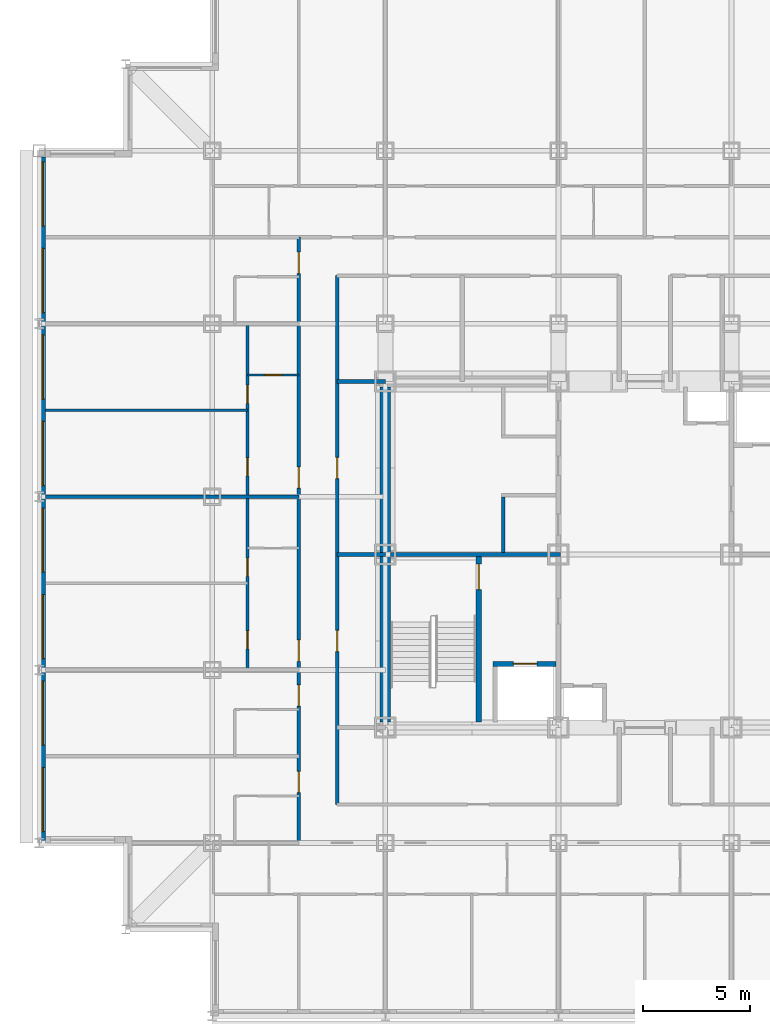
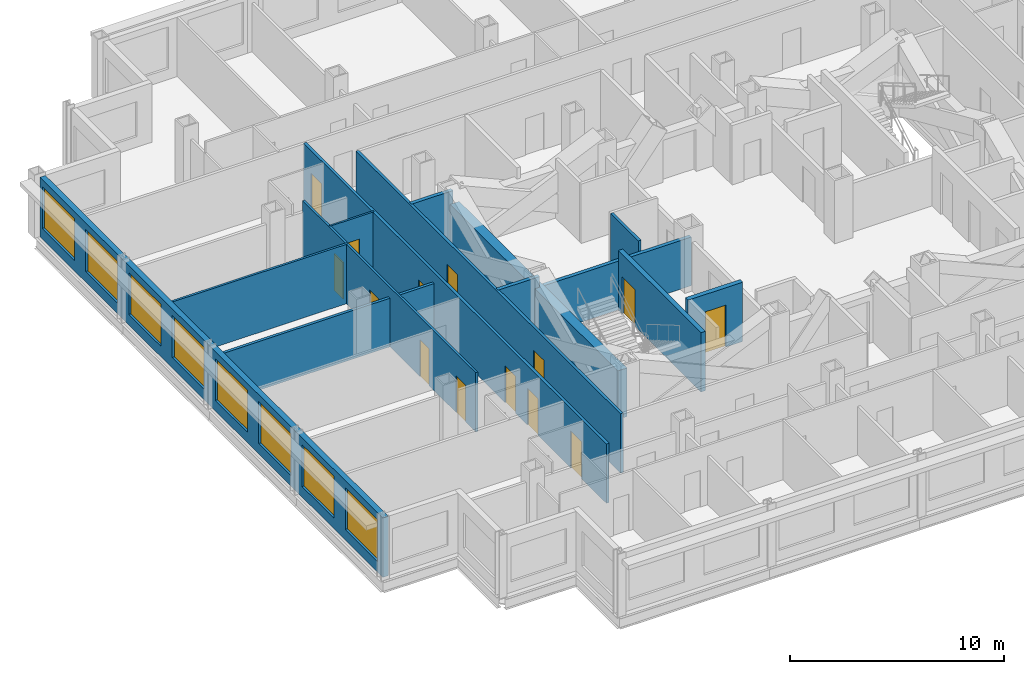
# One storey, part 6 of 12: 14 doors, 14 walls, 8 windows, 22 openings.
"""IFC4 building model written with IfcOpenShell, lengths in metres."""

from ifc_helpers import new_model, si_unit, direction, frame, frame_2d, origin, place, context, subcontext, project, spatial, rectangle, extrude, material, layer, layer_set, type_object, element, fill, save


model = new_model("IFC4")

# Units and contexts
model_context = context("Model", 3, precision=1e-05, world=origin(), true_north=direction((0.0, 1.0)))
body_context = subcontext(model_context, "Body", "Model", "MODEL_VIEW")
ifc_project = project(units=[si_unit("LENGTHUNIT", "METRE"), si_unit("AREAUNIT", "SQUARE_METRE"), si_unit("VOLUMEUNIT", "CUBIC_METRE"), si_unit("PLANEANGLEUNIT", "RADIAN"), si_unit("MASSUNIT", "GRAM", prefix="KILO")], contexts=[model_context])

# Site, building, storey
site_placement = place(None, origin())
site = spatial("IfcSite", under=ifc_project, at=site_placement, CompositionType="ELEMENT")
building_placement = place(site_placement, origin())
building = spatial("IfcBuilding", under=site, at=building_placement, Name="Kopane Lantern Tower", CompositionType="ELEMENT")
storey_placement = place(building_placement, frame((0.0, 0.0, 184.800048828125)))
storey = spatial("IfcBuildingStorey", under=building, at=storey_placement, Name="L47", CompositionType="ELEMENT", Elevation=184.800048828125)

# Wall, openings, doors
ifc_material_1 = material(Name="Gypsum board on steel studs", Category="steel")
ifc_layer_1 = layer(ifc_material_1, 0.1201171875)
ifc_layer_set_1 = layer_set([ifc_layer_1], Name="APARTMENT INTERNAL WALL 120")
wall_type_1 = type_object("IfcWallType", Name="APARTMENT INTERNAL WALL 120", PredefinedType="PARTITIONING", material=ifc_layer_set_1)
wall_1_placement = place(storey_placement, frame((9.75, 27.0, 0.0), z_axis=(0.0, 0.0, 1.0), x_axis=(0.0, 1.0, 0.0)))
wall_1 = element("IfcWall", 1, at=wall_1_placement, inside=storey, type_object=wall_type_1, Name="Apartment Internal Wall 120 L47", PredefinedType="PARTITIONING", context=body_context, shape_type="SweptSolid", body=[
    extrude(rectangle(XDim=16.199951171875, YDim=0.1201171875, at=frame_2d((8.10009765625, 0.0))), origin(), (0.0, 0.0, 1.0), 3.389892578125),
])
opening_1_placement = place(wall_1_placement, frame((0.97509765625, 0.0, 0.0)))
opening_1 = element("IfcOpeningElement", 2, at=opening_1_placement, cuts=wall_1, Name="Opening L47-038", PredefinedType="OPENING", context=body_context, shape_type="SweptSolid", body=[
    extrude(rectangle(XDim=0.85009765625, YDim=2.10009765625, at=frame_2d((0.425048828125, 1.050048828125))), frame((0.0, 0.070068359375, 0.0), z_axis=(0.0, -1.0, 0.0), x_axis=(1.0, 0.0, 0.0)), (0.0, 0.0, 1.0), 0.14013671875),
])
opening_2_placement = place(wall_1_placement, frame((4.375, 0.0, 0.0)))
opening_2 = element("IfcOpeningElement", 3, at=opening_2_placement, cuts=wall_1, Name="Opening L47-039", PredefinedType="OPENING", context=body_context, shape_type="SweptSolid", body=[
    extrude(rectangle(XDim=0.85009765625, YDim=2.10009765625, at=frame_2d((0.425048828125, 1.050048828125))), frame((0.0, 0.070068359375, 0.0), z_axis=(0.0, -1.0, 0.0), x_axis=(1.0, 0.0, 0.0)), (0.0, 0.0, 1.0), 0.14013671875),
])
opening_3_placement = place(wall_1_placement, frame((9.074951171875, 0.0, 0.0)))
opening_3 = element("IfcOpeningElement", 4, at=opening_3_placement, cuts=wall_1, Name="Opening L47-042", PredefinedType="OPENING", context=body_context, shape_type="SweptSolid", body=[
    extrude(rectangle(XDim=0.85009765625, YDim=2.10009765625, at=frame_2d((0.425048828125, 1.050048828125))), frame((0.0, 0.070068359375, 0.0), z_axis=(0.0, -1.0, 0.0), x_axis=(1.0, 0.0, 0.0)), (0.0, 0.0, 1.0), 0.14013671875),
])
opening_4_placement = place(wall_1_placement, frame((12.47509765625, 0.0, 0.0)))
opening_4 = element("IfcOpeningElement", 5, at=opening_4_placement, cuts=wall_1, Name="Opening L47-043", PredefinedType="OPENING", context=body_context, shape_type="SweptSolid", body=[
    extrude(rectangle(XDim=0.85009765625, YDim=2.10009765625, at=frame_2d((0.425048828125, 1.050048828125))), frame((0.0, 0.070068359375, 0.0), z_axis=(0.0, -1.0, 0.0), x_axis=(1.0, 0.0, 0.0)), (0.0, 0.0, 1.0), 0.14013671875),
])
ifc_material_2 = material(Name="Timber door set", Category="wood")
door_type_1 = type_object("IfcDoorType", Name="DOOR D4 850x2100", OperationType="SINGLE_SWING_LEFT", PredefinedType="DOOR", material=ifc_material_2)
door_1_placement = place(opening_1_placement, origin())
door_1 = element("IfcDoor", 6, at=door_1_placement, inside=storey, type_object=door_type_1, Name="Door L47-038", OperationType="SINGLE_SWING_RIGHT", OverallHeight=2.10009765625, OverallWidth=0.85009765625, PredefinedType="DOOR", context=body_context, shape_type="SweptSolid", body=[
    extrude(rectangle(XDim=0.85009765625, YDim=2.10009765625, at=frame_2d((0.425048828125, 1.050048828125))), frame((0.0, 0.02490234375, 0.0), z_axis=(0.0, -1.0, 0.0), x_axis=(1.0, 0.0, 0.0)), (0.0, 0.0, 1.0), 0.050048828125),
])
fill(opening_1, door_1)
door_2_placement = place(opening_2_placement, origin())
door_2 = element("IfcDoor", 7, at=door_2_placement, inside=storey, type_object=door_type_1, Name="Door L47-039", OperationType="SINGLE_SWING_LEFT", OverallHeight=2.10009765625, OverallWidth=0.85009765625, PredefinedType="DOOR", context=body_context, shape_type="SweptSolid", body=[
    extrude(rectangle(XDim=0.85009765625, YDim=2.10009765625, at=frame_2d((0.425048828125, 1.050048828125))), frame((0.0, 0.02490234375, 0.0), z_axis=(0.0, -1.0, 0.0), x_axis=(1.0, 0.0, 0.0)), (0.0, 0.0, 1.0), 0.050048828125),
])
fill(opening_2, door_2)
door_3_placement = place(opening_3_placement, origin())
door_3 = element("IfcDoor", 8, at=door_3_placement, inside=storey, type_object=door_type_1, Name="Door L47-042", OperationType="SINGLE_SWING_RIGHT", OverallHeight=2.10009765625, OverallWidth=0.85009765625, PredefinedType="DOOR", context=body_context, shape_type="SweptSolid", body=[
    extrude(rectangle(XDim=0.85009765625, YDim=2.10009765625, at=frame_2d((0.425048828125, 1.050048828125))), frame((0.0, 0.02490234375, 0.0), z_axis=(0.0, -1.0, 0.0), x_axis=(1.0, 0.0, 0.0)), (0.0, 0.0, 1.0), 0.050048828125),
])
fill(opening_3, door_3)
door_4_placement = place(opening_4_placement, origin())
door_4 = element("IfcDoor", 9, at=door_4_placement, inside=storey, type_object=door_type_1, Name="Door L47-043", OperationType="SINGLE_SWING_LEFT", OverallHeight=2.10009765625, OverallWidth=0.85009765625, PredefinedType="DOOR", context=body_context, shape_type="SweptSolid", body=[
    extrude(rectangle(XDim=0.85009765625, YDim=2.10009765625, at=frame_2d((0.425048828125, 1.050048828125))), frame((0.0, 0.02490234375, 0.0), z_axis=(0.0, -1.0, 0.0), x_axis=(1.0, 0.0, 0.0)), (0.0, 0.0, 1.0), 0.050048828125),
])
fill(opening_4, door_4)

# Wall
wall_2_placement = place(storey_placement, frame((9.75, 39.14990234375, 0.0), z_axis=(0.0, 0.0, 1.0), x_axis=(-1.0, 0.0, 0.0)))
element("IfcWall", 10, at=wall_2_placement, inside=storey, type_object=wall_type_1, Name="Apartment Internal Wall 120 L47", PredefinedType="PARTITIONING", context=body_context, shape_type="SweptSolid", body=[
    extrude(rectangle(XDim=9.449951171875, YDim=0.1201171875, at=frame_2d((4.72509765625, 0.0))), origin(), (0.0, 0.0, 1.0), 3.389892578125),
])

# Wall, opening, door
ifc_material_3 = material(Name="Moisture-resistant board on steel studs", Category="steel")
ifc_layer_2 = layer(ifc_material_3, 0.10009765625)
ifc_layer_set_2 = layer_set([ifc_layer_2], Name="BATHROOM WALL 100")
wall_type_2 = type_object("IfcWallType", Name="BATHROOM WALL 100", PredefinedType="PARTITIONING", material=ifc_layer_set_2)
wall_3_placement = place(storey_placement, frame((12.14990234375, 40.800048828125, 0.0), z_axis=(0.0, 0.0, 1.0), x_axis=(-1.0, 0.0, 0.0)))
wall_3 = element("IfcWall", 11, at=wall_3_placement, inside=storey, type_object=wall_type_2, Name="Bathroom Wall 100 L47", PredefinedType="PARTITIONING", context=body_context, shape_type="SweptSolid", body=[
    extrude(rectangle(XDim=2.39990234375, YDim=0.10009765625, at=frame_2d((1.199951171875, 0.0))), origin(), (0.0, 0.0, 1.0), 3.389892578125),
])
opening_5_placement = place(wall_3_placement, frame((0.800048828125, 0.0, 0.0)))
opening_5 = element("IfcOpeningElement", 12, at=opening_5_placement, cuts=wall_3, Name="Opening L47-040", PredefinedType="OPENING", context=body_context, shape_type="SweptSolid", body=[
    extrude(rectangle(XDim=0.800048828125, YDim=2.10009765625, at=frame_2d((0.39990234375, 1.050048828125))), frame((0.0, 0.06005859375, 0.0), z_axis=(0.0, -1.0, 0.0), x_axis=(1.0, 0.0, 0.0)), (0.0, 0.0, 1.0), 0.1201171875),
])
ifc_material_4 = material(Name="Timber door set", Category="wood")
door_type_2 = type_object("IfcDoorType", Name="DOOR D2 800x2100", OperationType="SINGLE_SWING_LEFT", PredefinedType="DOOR", material=ifc_material_4)
door_5_placement = place(opening_5_placement, origin())
door_5 = element("IfcDoor", 13, at=door_5_placement, inside=storey, type_object=door_type_2, Name="Door L47-040", OperationType="SINGLE_SWING_RIGHT", OverallHeight=2.10009765625, OverallWidth=0.800048828125, PredefinedType="DOOR", context=body_context, shape_type="SweptSolid", body=[
    extrude(rectangle(XDim=0.800048828125, YDim=2.10009765625, at=frame_2d((0.39990234375, 1.050048828125))), frame((0.0, 0.02490234375, 0.0), z_axis=(0.0, -1.0, 0.0), x_axis=(1.0, 0.0, 0.0)), (0.0, 0.0, 1.0), 0.050048828125),
])
fill(opening_5, door_5)

# Walls
ifc_material_5 = material(Name="Gypsum shaft wall EI 120", Category="gypsum")
ifc_layer_3 = layer(ifc_material_5, 0.5)
ifc_layer_set_3 = layer_set([ifc_layer_3], Name="CORE PERIMETER WALL 500 EI 120")
wall_type_3 = type_object("IfcWallType", Name="CORE PERIMETER WALL 500 EI 120", PredefinedType="SOLIDWALL", material=ifc_layer_set_3)
wall_4_placement = place(storey_placement, frame((16.199951171875, 24.550048828125, 0.0), z_axis=(0.0, 0.0, 1.0), x_axis=(0.0, 1.0, 0.0)))
element("IfcWall", 14, at=wall_4_placement, inside=storey, type_object=wall_type_3, Name="Core shaft wall L47 PW", PredefinedType="SOLIDWALL", context=body_context, shape_type="SweptSolid", body=[
    extrude(rectangle(XDim=15.699951171875, YDim=0.5, at=frame_2d((7.85009765625, 0.0))), origin(), (0.0, 0.0, 1.0), 2.77783203125),
])
ifc_material_6 = material(Name="Gypsum partition EI 60", Category="gypsum")
ifc_layer_4 = layer(ifc_material_6, 0.14990234375)
ifc_layer_set_4 = layer_set([ifc_layer_4], Name="CORE ROOM PARTITION 150 EI 60")
wall_type_4 = type_object("IfcWallType", Name="CORE ROOM PARTITION 150 EI 60", PredefinedType="PARTITIONING", material=ifc_layer_set_4)
wall_5_placement = place(storey_placement, frame((21.72509765625, 32.5, 0.0), z_axis=(0.0, 0.0, 1.0), x_axis=(0.0, 1.0, 0.0)))
element("IfcWall", 15, at=wall_5_placement, inside=storey, type_object=wall_type_4, Name="Core room partition L47 WWB0", PredefinedType="PARTITIONING", context=body_context, shape_type="SweptSolid", body=[
    extrude(rectangle(XDim=2.60009765625, YDim=0.14990234375, at=frame_2d((1.300048828125, 0.0))), origin(), (0.0, 0.0, 1.0), 3.389892578125),
])

# Wall, opening, door
ifc_material_7 = material(Name="Gypsum shaft wall EI 120", Category="gypsum")
ifc_layer_5 = layer(ifc_material_7, 0.25)
ifc_layer_set_5 = layer_set([ifc_layer_5], Name="CORE SHAFT WALL 250 EI 120")
wall_type_5 = type_object("IfcWallType", Name="CORE SHAFT WALL 250 EI 120", PredefinedType="SOLIDWALL", material=ifc_layer_set_5)
wall_6_placement = place(storey_placement, frame((20.574951171875, 24.550048828125, 0.0), z_axis=(0.0, 0.0, 1.0), x_axis=(0.0, 1.0, 0.0)))
wall_6 = element("IfcWall", 16, at=wall_6_placement, inside=storey, type_object=wall_type_5, Name="Core shaft wall L47 XST1", PredefinedType="SOLIDWALL", context=body_context, shape_type="SweptSolid", body=[
    extrude(rectangle(XDim=7.75, YDim=0.25, at=frame_2d((3.875, 0.0))), origin(), (0.0, 0.0, 1.0), 3.389892578125),
])
opening_6_placement = place(wall_6_placement, frame((6.199951171875, 0.0, 0.0)))
opening_6 = element("IfcOpeningElement", 17, at=opening_6_placement, cuts=wall_6, Name="Opening 47.SD1", PredefinedType="OPENING", context=body_context, shape_type="SweptSolid", body=[
    extrude(rectangle(XDim=1.199951171875, YDim=2.10009765625, at=frame_2d((0.60009765625, 1.050048828125))), frame((0.0, 0.135009765625, 0.0), z_axis=(0.0, -1.0, 0.0), x_axis=(1.0, 0.0, 0.0)), (0.0, 0.0, 1.0), 0.27001953125),
])
ifc_material_8 = material(Name="Steel door set", Category="steel")
door_type_3 = type_object("IfcDoorType", Name="STAIR DOOR 1200x2100 FD60S", OperationType="SINGLE_SWING_LEFT", PredefinedType="DOOR", material=ifc_material_8)
door_6_placement = place(opening_6_placement, origin())
door_6 = element("IfcDoor", 18, at=door_6_placement, inside=storey, type_object=door_type_3, Name="Stair door ST1 L47", OperationType="SINGLE_SWING_LEFT", OverallHeight=2.10009765625, OverallWidth=1.199951171875, PredefinedType="DOOR", context=body_context, shape_type="SweptSolid", body=[
    extrude(rectangle(XDim=1.199951171875, YDim=2.10009765625, at=frame_2d((0.60009765625, 1.050048828125))), frame((0.0, 0.02490234375, 0.0), z_axis=(0.0, -1.0, 0.0), x_axis=(1.0, 0.0, 0.0)), (0.0, 0.0, 1.0), 0.050048828125),
])
fill(opening_6, door_6)

wall_7_placement = place(storey_placement, frame((21.25, 27.27490234375, 0.0), z_axis=(0.0, 0.0, 1.0), x_axis=(1.0, 0.0, 0.0)))
wall_7 = element("IfcWall", 19, at=wall_7_placement, inside=storey, type_object=wall_type_5, Name="Core shaft wall L47 YLF1", PredefinedType="SOLIDWALL", context=body_context, shape_type="SweptSolid", body=[
    extrude(rectangle(XDim=2.949951171875, YDim=0.25, at=frame_2d((1.47509765625, 0.0))), origin(), (0.0, 0.0, 1.0), 3.389892578125),
])
opening_7_placement = place(wall_7_placement, frame((0.949951171875, 0.0, 0.0)))
opening_7 = element("IfcOpeningElement", 20, at=opening_7_placement, cuts=wall_7, Name="Opening 47.LD-LF1", PredefinedType="OPENING", context=body_context, shape_type="SweptSolid", body=[
    extrude(rectangle(XDim=1.10009765625, YDim=2.39990234375, at=frame_2d((0.550048828125, 1.199951171875))), frame((0.0, 0.135009765625, 0.0), z_axis=(0.0, -1.0, 0.0), x_axis=(1.0, 0.0, 0.0)), (0.0, 0.0, 1.0), 0.27001953125),
])
ifc_material_9 = material(Name="Steel door set", Category="steel")
door_type_4 = type_object("IfcDoorType", Name="LIFT LANDING DOOR 1100x2400 FD60", OperationType="DOUBLE_DOOR_SLIDING", PredefinedType="DOOR", material=ifc_material_9)
door_7_placement = place(opening_7_placement, origin())
door_7 = element("IfcDoor", 21, at=door_7_placement, inside=storey, type_object=door_type_4, Name="Landing door LF1 L47", OperationType="DOUBLE_DOOR_SLIDING", OverallHeight=2.39990234375, OverallWidth=1.10009765625, PredefinedType="DOOR", context=body_context, shape_type="SweptSolid", body=[
    extrude(rectangle(XDim=1.10009765625, YDim=2.39990234375, at=frame_2d((0.550048828125, 1.199951171875))), frame((0.0, 0.02490234375, 0.0), z_axis=(0.0, -1.0, 0.0), x_axis=(1.0, 0.0, 0.0)), (0.0, 0.0, 1.0), 0.050048828125),
])
fill(opening_7, door_7)

# Wall, openings, doors
ifc_material_10 = material(Name="Gypsum board on steel studs", Category="steel")
ifc_layer_6 = layer(ifc_material_10, 0.14990234375)
ifc_layer_set_6 = layer_set([ifc_layer_6], Name="CORRIDOR WALL 150 EI 60")
wall_type_6 = type_object("IfcWallType", Name="CORRIDOR WALL 150 EI 60", PredefinedType="PARTITIONING", material=ifc_layer_set_6)
wall_8_placement = place(storey_placement, frame((12.14990234375, 18.89990234375, 0.0), z_axis=(0.0, 0.0, 1.0), x_axis=(0.0, 1.0, 0.0)))
wall_8 = element("IfcWall", 22, at=wall_8_placement, inside=storey, type_object=wall_type_6, Name="Corridor Wall 150 Ei 60 L47", PredefinedType="PARTITIONING", context=body_context, shape_type="SweptSolid", body=[
    extrude(rectangle(XDim=28.35009765625, YDim=0.14990234375, at=frame_2d((14.175048828125, 0.0))), origin(), (0.0, 0.0, 1.0), 3.389892578125),
])
opening_8_placement = place(wall_8_placement, frame((2.35009765625, 0.0, 0.0)))
opening_8 = element("IfcOpeningElement", 23, at=opening_8_placement, cuts=wall_8, Name="Opening L47-033", PredefinedType="OPENING", context=body_context, shape_type="SweptSolid", body=[
    extrude(rectangle(XDim=1.0, YDim=2.10009765625, at=frame_2d((0.5, 1.050048828125))), frame((0.0, 0.0849609375, 0.0), z_axis=(0.0, -1.0, 0.0), x_axis=(1.0, 0.0, 0.0)), (0.0, 0.0, 1.0), 0.169921875),
])
opening_9_placement = place(wall_8_placement, frame((6.39990234375, 0.0, 0.0)))
opening_9 = element("IfcOpeningElement", 24, at=opening_9_placement, cuts=wall_8, Name="Opening L47-035", PredefinedType="OPENING", context=body_context, shape_type="SweptSolid", body=[
    extrude(rectangle(XDim=1.0, YDim=2.10009765625, at=frame_2d((0.5, 1.050048828125))), frame((0.0, 0.0849609375, 0.0), z_axis=(0.0, -1.0, 0.0), x_axis=(1.0, 0.0, 0.0)), (0.0, 0.0, 1.0), 0.169921875),
])
opening_10_placement = place(wall_8_placement, frame((8.5, 0.0, 0.0)))
opening_10 = element("IfcOpeningElement", 25, at=opening_10_placement, cuts=wall_8, Name="Opening L47-037", PredefinedType="OPENING", context=body_context, shape_type="SweptSolid", body=[
    extrude(rectangle(XDim=1.0, YDim=2.10009765625, at=frame_2d((0.5, 1.050048828125))), frame((0.0, 0.0849609375, 0.0), z_axis=(0.0, -1.0, 0.0), x_axis=(1.0, 0.0, 0.0)), (0.0, 0.0, 1.0), 0.169921875),
])
opening_11_placement = place(wall_8_placement, frame((16.60009765625, 0.0, 0.0)))
opening_11 = element("IfcOpeningElement", 26, at=opening_11_placement, cuts=wall_8, Name="Opening L47-041", PredefinedType="OPENING", context=body_context, shape_type="SweptSolid", body=[
    extrude(rectangle(XDim=1.0, YDim=2.10009765625, at=frame_2d((0.5, 1.050048828125))), frame((0.0, 0.0849609375, 0.0), z_axis=(0.0, -1.0, 0.0), x_axis=(1.0, 0.0, 0.0)), (0.0, 0.0, 1.0), 0.169921875),
])
opening_12_placement = place(wall_8_placement, frame((26.64990234375, 0.0, 0.0)))
opening_12 = element("IfcOpeningElement", 27, at=opening_12_placement, cuts=wall_8, Name="Opening L47-045", PredefinedType="OPENING", context=body_context, shape_type="SweptSolid", body=[
    extrude(rectangle(XDim=1.0, YDim=2.10009765625, at=frame_2d((0.5, 1.050048828125))), frame((0.0, 0.0849609375, 0.0), z_axis=(0.0, -1.0, 0.0), x_axis=(1.0, 0.0, 0.0)), (0.0, 0.0, 1.0), 0.169921875),
])
ifc_material_11 = material(Name="Steel door set", Category="steel")
door_type_5 = type_object("IfcDoorType", Name="DOOR D3 1000x2100 FD30S", OperationType="SINGLE_SWING_LEFT", PredefinedType="DOOR", material=ifc_material_11)
door_8_placement = place(opening_8_placement, origin())
door_8 = element("IfcDoor", 28, at=door_8_placement, inside=storey, type_object=door_type_5, Name="Door L47-033", OperationType="SINGLE_SWING_LEFT", OverallHeight=2.10009765625, OverallWidth=1.0, PredefinedType="DOOR", context=body_context, shape_type="SweptSolid", body=[
    extrude(rectangle(XDim=1.0, YDim=2.10009765625, at=frame_2d((0.5, 1.050048828125))), frame((0.0, 0.02490234375, 0.0), z_axis=(0.0, -1.0, 0.0), x_axis=(1.0, 0.0, 0.0)), (0.0, 0.0, 1.0), 0.050048828125),
])
fill(opening_8, door_8)
door_9_placement = place(opening_9_placement, origin())
door_9 = element("IfcDoor", 29, at=door_9_placement, inside=storey, type_object=door_type_5, Name="Door L47-035", OperationType="SINGLE_SWING_LEFT", OverallHeight=2.10009765625, OverallWidth=1.0, PredefinedType="DOOR", context=body_context, shape_type="SweptSolid", body=[
    extrude(rectangle(XDim=1.0, YDim=2.10009765625, at=frame_2d((0.5, 1.050048828125))), frame((0.0, 0.02490234375, 0.0), z_axis=(0.0, -1.0, 0.0), x_axis=(1.0, 0.0, 0.0)), (0.0, 0.0, 1.0), 0.050048828125),
])
fill(opening_9, door_9)
door_10_placement = place(opening_10_placement, origin())
door_10 = element("IfcDoor", 30, at=door_10_placement, inside=storey, type_object=door_type_5, Name="Door L47-037", OperationType="SINGLE_SWING_LEFT", OverallHeight=2.10009765625, OverallWidth=1.0, PredefinedType="DOOR", context=body_context, shape_type="SweptSolid", body=[
    extrude(rectangle(XDim=1.0, YDim=2.10009765625, at=frame_2d((0.5, 1.050048828125))), frame((0.0, 0.02490234375, 0.0), z_axis=(0.0, -1.0, 0.0), x_axis=(1.0, 0.0, 0.0)), (0.0, 0.0, 1.0), 0.050048828125),
])
fill(opening_10, door_10)
door_11_placement = place(opening_11_placement, origin())
door_11 = element("IfcDoor", 31, at=door_11_placement, inside=storey, type_object=door_type_5, Name="Door L47-041", OperationType="SINGLE_SWING_LEFT", OverallHeight=2.10009765625, OverallWidth=1.0, PredefinedType="DOOR", context=body_context, shape_type="SweptSolid", body=[
    extrude(rectangle(XDim=1.0, YDim=2.10009765625, at=frame_2d((0.5, 1.050048828125))), frame((0.0, 0.02490234375, 0.0), z_axis=(0.0, -1.0, 0.0), x_axis=(1.0, 0.0, 0.0)), (0.0, 0.0, 1.0), 0.050048828125),
])
fill(opening_11, door_11)
door_12_placement = place(opening_12_placement, origin())
door_12 = element("IfcDoor", 32, at=door_12_placement, inside=storey, type_object=door_type_5, Name="Door L47-045", OperationType="SINGLE_SWING_LEFT", OverallHeight=2.10009765625, OverallWidth=1.0, PredefinedType="DOOR", context=body_context, shape_type="SweptSolid", body=[
    extrude(rectangle(XDim=1.0, YDim=2.10009765625, at=frame_2d((0.5, 1.050048828125))), frame((0.0, 0.02490234375, 0.0), z_axis=(0.0, -1.0, 0.0), x_axis=(1.0, 0.0, 0.0)), (0.0, 0.0, 1.0), 0.050048828125),
])
fill(opening_12, door_12)

wall_9_placement = place(storey_placement, frame((13.949951171875, 45.449951171875, 0.0), z_axis=(0.0, 0.0, 1.0), x_axis=(0.0, -1.0, 0.0)))
wall_9 = element("IfcWall", 33, at=wall_9_placement, inside=storey, type_object=wall_type_6, Name="Corridor Wall 150 Ei 60 L47", PredefinedType="PARTITIONING", context=body_context, shape_type="SweptSolid", body=[
    extrude(rectangle(XDim=24.75, YDim=0.14990234375, at=frame_2d((12.375, 0.0))), origin(), (0.0, 0.0, 1.0), 3.389892578125),
])
opening_13_placement = place(wall_9_placement, frame((16.60009765625, 0.0, 0.0)))
opening_13 = element("IfcOpeningElement", 34, at=opening_13_placement, cuts=wall_9, Name="Opening L47-001", PredefinedType="OPENING", context=body_context, shape_type="SweptSolid", body=[
    extrude(rectangle(XDim=1.0, YDim=2.10009765625, at=frame_2d((0.5, 1.050048828125))), frame((0.0, 0.0849609375, 0.0), z_axis=(0.0, -1.0, 0.0), x_axis=(1.0, 0.0, 0.0)), (0.0, 0.0, 1.0), 0.169921875),
])
opening_14_placement = place(wall_9_placement, frame((8.5, 0.0, 0.0)))
opening_14 = element("IfcOpeningElement", 35, at=opening_14_placement, cuts=wall_9, Name="Opening L47-002", PredefinedType="OPENING", context=body_context, shape_type="SweptSolid", body=[
    extrude(rectangle(XDim=1.0, YDim=2.10009765625, at=frame_2d((0.5, 1.050048828125))), frame((0.0, 0.0849609375, 0.0), z_axis=(0.0, -1.0, 0.0), x_axis=(1.0, 0.0, 0.0)), (0.0, 0.0, 1.0), 0.169921875),
])
ifc_material_12 = material(Name="Steel door set", Category="steel")
door_type_6 = type_object("IfcDoorType", Name="DOOR D5 1000x2100 FD60", OperationType="SINGLE_SWING_LEFT", PredefinedType="DOOR", material=ifc_material_12)
door_13_placement = place(opening_13_placement, origin())
door_13 = element("IfcDoor", 36, at=door_13_placement, inside=storey, type_object=door_type_6, Name="Door L47-001", OperationType="SINGLE_SWING_RIGHT", OverallHeight=2.10009765625, OverallWidth=1.0, PredefinedType="DOOR", context=body_context, shape_type="SweptSolid", body=[
    extrude(rectangle(XDim=1.0, YDim=2.10009765625, at=frame_2d((0.5, 1.050048828125))), frame((0.0, 0.02490234375, 0.0), z_axis=(0.0, -1.0, 0.0), x_axis=(1.0, 0.0, 0.0)), (0.0, 0.0, 1.0), 0.050048828125),
])
fill(opening_13, door_13)
door_14_placement = place(opening_14_placement, origin())
door_14 = element("IfcDoor", 37, at=door_14_placement, inside=storey, type_object=door_type_6, Name="Door L47-002", OperationType="SINGLE_SWING_LEFT", OverallHeight=2.10009765625, OverallWidth=1.0, PredefinedType="DOOR", context=body_context, shape_type="SweptSolid", body=[
    extrude(rectangle(XDim=1.0, YDim=2.10009765625, at=frame_2d((0.5, 1.050048828125))), frame((0.0, 0.02490234375, 0.0), z_axis=(0.0, -1.0, 0.0), x_axis=(1.0, 0.0, 0.0)), (0.0, 0.0, 1.0), 0.050048828125),
])
fill(opening_14, door_14)

# Wall
ifc_material_13 = material(Name="Gypsum board on steel studs", Category="steel")
ifc_layer_7 = layer(ifc_material_13, 0.14990234375)
ifc_layer_set_7 = layer_set([ifc_layer_7], Name="DEMISING WALL 150 EI 60")
wall_type_7 = type_object("IfcWallType", Name="DEMISING WALL 150 EI 60", PredefinedType="PARTITIONING", material=ifc_layer_set_7)
wall_10_placement = place(storey_placement, frame((12.14990234375, 35.10009765625, 0.0), z_axis=(0.0, 0.0, 1.0), x_axis=(-1.0, 0.0, 0.0)))
element("IfcWall", 38, at=wall_10_placement, inside=storey, type_object=wall_type_7, Name="Demising Wall 150 Ei 60 L47", PredefinedType="PARTITIONING", context=body_context, shape_type="SweptSolid", body=[
    extrude(rectangle(XDim=11.849853515625, YDim=0.14990234375, at=frame_2d((5.9248046875, 0.0))), origin(), (0.0, 0.0, 1.0), 2.77783203125),
])

# Wall, openings, windows
ifc_material_14 = material(Name="Terracotta rainscreen on light steel framing", Category="masonry")
ifc_layer_8 = layer(ifc_material_14, 0.300048828125)
ifc_layer_set_8 = layer_set([ifc_layer_8], Name="EXTERNAL WALL EW1 300 TERRACOTTA")
wall_type_8 = type_object("IfcWallType", Name="EXTERNAL WALL EW1 300 TERRACOTTA", PredefinedType="SOLIDWALL", material=ifc_layer_set_8)
wall_11_placement = place(storey_placement, frame((0.14990234375, 51.0, 0.0), z_axis=(0.0, 0.0, 1.0), x_axis=(0.0, -1.0, 0.0)))
wall_11 = element("IfcWall", 39, at=wall_11_placement, inside=storey, type_object=wall_type_8, Name="External wall W L47", PredefinedType="SOLIDWALL", context=body_context, shape_type="SweptSolid", body=[
    extrude(rectangle(XDim=32.10009765625, YDim=0.300048828125, at=frame_2d((16.050048828125, 0.0))), origin(), (0.0, 0.0, 1.0), 3.389892578125),
])
opening_15_placement = place(wall_11_placement, frame((0.22509765625, 0.0, 0.60009765625)))
opening_15 = element("IfcOpeningElement", 40, at=opening_15_placement, cuts=wall_11, Name="Opening WR300240", PredefinedType="OPENING", context=body_context, shape_type="SweptSolid", body=[
    extrude(rectangle(XDim=3.0, YDim=2.39990234375, at=frame_2d((1.5, 1.199951171875))), frame((0.0, 0.159912109375, 0.0), z_axis=(0.0, -1.0, 0.0), x_axis=(1.0, 0.0, 0.0)), (0.0, 0.0, 1.0), 0.320068359375),
])
opening_16_placement = place(wall_11_placement, frame((4.27490234375, 0.0, 0.60009765625)))
opening_16 = element("IfcOpeningElement", 41, at=opening_16_placement, cuts=wall_11, Name="Opening WR300240", PredefinedType="OPENING", context=body_context, shape_type="SweptSolid", body=[
    extrude(rectangle(XDim=3.0, YDim=2.39990234375, at=frame_2d((1.5, 1.199951171875))), frame((0.0, 0.159912109375, 0.0), z_axis=(0.0, -1.0, 0.0), x_axis=(1.0, 0.0, 0.0)), (0.0, 0.0, 1.0), 0.320068359375),
])
opening_17_placement = place(wall_11_placement, frame((8.324951171875, 0.0, 0.60009765625)))
opening_17 = element("IfcOpeningElement", 42, at=opening_17_placement, cuts=wall_11, Name="Opening WR300240", PredefinedType="OPENING", context=body_context, shape_type="SweptSolid", body=[
    extrude(rectangle(XDim=3.0, YDim=2.39990234375, at=frame_2d((1.5, 1.199951171875))), frame((0.0, 0.159912109375, 0.0), z_axis=(0.0, -1.0, 0.0), x_axis=(1.0, 0.0, 0.0)), (0.0, 0.0, 1.0), 0.320068359375),
])
opening_18_placement = place(wall_11_placement, frame((12.375, 0.0, 0.60009765625)))
opening_18 = element("IfcOpeningElement", 43, at=opening_18_placement, cuts=wall_11, Name="Opening WR300240", PredefinedType="OPENING", context=body_context, shape_type="SweptSolid", body=[
    extrude(rectangle(XDim=3.0, YDim=2.39990234375, at=frame_2d((1.5, 1.199951171875))), frame((0.0, 0.159912109375, 0.0), z_axis=(0.0, -1.0, 0.0), x_axis=(1.0, 0.0, 0.0)), (0.0, 0.0, 1.0), 0.320068359375),
])
opening_19_placement = place(wall_11_placement, frame((16.425048828125, 0.0, 0.60009765625)))
opening_19 = element("IfcOpeningElement", 44, at=opening_19_placement, cuts=wall_11, Name="Opening WR300240", PredefinedType="OPENING", context=body_context, shape_type="SweptSolid", body=[
    extrude(rectangle(XDim=3.0, YDim=2.39990234375, at=frame_2d((1.5, 1.199951171875))), frame((0.0, 0.159912109375, 0.0), z_axis=(0.0, -1.0, 0.0), x_axis=(1.0, 0.0, 0.0)), (0.0, 0.0, 1.0), 0.320068359375),
])
opening_20_placement = place(wall_11_placement, frame((20.47509765625, 0.0, 0.60009765625)))
opening_20 = element("IfcOpeningElement", 45, at=opening_20_placement, cuts=wall_11, Name="Opening WR300240", PredefinedType="OPENING", context=body_context, shape_type="SweptSolid", body=[
    extrude(rectangle(XDim=3.0, YDim=2.39990234375, at=frame_2d((1.5, 1.199951171875))), frame((0.0, 0.159912109375, 0.0), z_axis=(0.0, -1.0, 0.0), x_axis=(1.0, 0.0, 0.0)), (0.0, 0.0, 1.0), 0.320068359375),
])
opening_21_placement = place(wall_11_placement, frame((24.52490234375, 0.0, 0.60009765625)))
opening_21 = element("IfcOpeningElement", 46, at=opening_21_placement, cuts=wall_11, Name="Opening WR300240", PredefinedType="OPENING", context=body_context, shape_type="SweptSolid", body=[
    extrude(rectangle(XDim=3.0, YDim=2.39990234375, at=frame_2d((1.5, 1.199951171875))), frame((0.0, 0.159912109375, 0.0), z_axis=(0.0, -1.0, 0.0), x_axis=(1.0, 0.0, 0.0)), (0.0, 0.0, 1.0), 0.320068359375),
])
opening_22_placement = place(wall_11_placement, frame((28.574951171875, 0.0, 0.60009765625)))
opening_22 = element("IfcOpeningElement", 47, at=opening_22_placement, cuts=wall_11, Name="Opening WR300240", PredefinedType="OPENING", context=body_context, shape_type="SweptSolid", body=[
    extrude(rectangle(XDim=3.0, YDim=2.39990234375, at=frame_2d((1.5, 1.199951171875))), frame((0.0, 0.159912109375, 0.0), z_axis=(0.0, -1.0, 0.0), x_axis=(1.0, 0.0, 0.0)), (0.0, 0.0, 1.0), 0.320068359375),
])
ifc_material_15 = material(Name="Aluminium and clear glass", Category="aluminium")
window_type = type_object("IfcWindowType", Name="RIBBON WINDOW WR300240 3000x2400", PartitioningType="SINGLE_PANEL", PredefinedType="WINDOW", material=ifc_material_15)
window_1_placement = place(opening_15_placement, origin())
window_1 = element("IfcWindow", 48, at=window_1_placement, inside=storey, type_object=window_type, Name="Window W L47", OverallHeight=2.39990234375, OverallWidth=3.0, PartitioningType="SINGLE_PANEL", PredefinedType="WINDOW", context=body_context, shape_type="SweptSolid", body=[
    extrude(rectangle(XDim=3.0, YDim=2.39990234375, at=frame_2d((1.5, 1.199951171875))), frame((0.0, 0.030029296875, 0.0), z_axis=(0.0, -1.0, 0.0), x_axis=(1.0, 0.0, 0.0)), (0.0, 0.0, 1.0), 0.06005859375),
])
fill(opening_15, window_1)
window_2_placement = place(opening_16_placement, origin())
window_2 = element("IfcWindow", 49, at=window_2_placement, inside=storey, type_object=window_type, Name="Window W L47", OverallHeight=2.39990234375, OverallWidth=3.0, PartitioningType="SINGLE_PANEL", PredefinedType="WINDOW", context=body_context, shape_type="SweptSolid", body=[
    extrude(rectangle(XDim=3.0, YDim=2.39990234375, at=frame_2d((1.5, 1.199951171875))), frame((0.0, 0.030029296875, 0.0), z_axis=(0.0, -1.0, 0.0), x_axis=(1.0, 0.0, 0.0)), (0.0, 0.0, 1.0), 0.06005859375),
])
fill(opening_16, window_2)
window_3_placement = place(opening_17_placement, origin())
window_3 = element("IfcWindow", 50, at=window_3_placement, inside=storey, type_object=window_type, Name="Window W L47", OverallHeight=2.39990234375, OverallWidth=3.0, PartitioningType="SINGLE_PANEL", PredefinedType="WINDOW", context=body_context, shape_type="SweptSolid", body=[
    extrude(rectangle(XDim=3.0, YDim=2.39990234375, at=frame_2d((1.5, 1.199951171875))), frame((0.0, 0.030029296875, 0.0), z_axis=(0.0, -1.0, 0.0), x_axis=(1.0, 0.0, 0.0)), (0.0, 0.0, 1.0), 0.06005859375),
])
fill(opening_17, window_3)
window_4_placement = place(opening_18_placement, origin())
window_4 = element("IfcWindow", 51, at=window_4_placement, inside=storey, type_object=window_type, Name="Window W L47", OverallHeight=2.39990234375, OverallWidth=3.0, PartitioningType="SINGLE_PANEL", PredefinedType="WINDOW", context=body_context, shape_type="SweptSolid", body=[
    extrude(rectangle(XDim=3.0, YDim=2.39990234375, at=frame_2d((1.5, 1.199951171875))), frame((0.0, 0.030029296875, 0.0), z_axis=(0.0, -1.0, 0.0), x_axis=(1.0, 0.0, 0.0)), (0.0, 0.0, 1.0), 0.06005859375),
])
fill(opening_18, window_4)
window_5_placement = place(opening_19_placement, origin())
window_5 = element("IfcWindow", 52, at=window_5_placement, inside=storey, type_object=window_type, Name="Window W L47", OverallHeight=2.39990234375, OverallWidth=3.0, PartitioningType="SINGLE_PANEL", PredefinedType="WINDOW", context=body_context, shape_type="SweptSolid", body=[
    extrude(rectangle(XDim=3.0, YDim=2.39990234375, at=frame_2d((1.5, 1.199951171875))), frame((0.0, 0.030029296875, 0.0), z_axis=(0.0, -1.0, 0.0), x_axis=(1.0, 0.0, 0.0)), (0.0, 0.0, 1.0), 0.06005859375),
])
fill(opening_19, window_5)
window_6_placement = place(opening_20_placement, origin())
window_6 = element("IfcWindow", 53, at=window_6_placement, inside=storey, type_object=window_type, Name="Window W L47", OverallHeight=2.39990234375, OverallWidth=3.0, PartitioningType="SINGLE_PANEL", PredefinedType="WINDOW", context=body_context, shape_type="SweptSolid", body=[
    extrude(rectangle(XDim=3.0, YDim=2.39990234375, at=frame_2d((1.5, 1.199951171875))), frame((0.0, 0.030029296875, 0.0), z_axis=(0.0, -1.0, 0.0), x_axis=(1.0, 0.0, 0.0)), (0.0, 0.0, 1.0), 0.06005859375),
])
fill(opening_20, window_6)
window_7_placement = place(opening_21_placement, origin())
window_7 = element("IfcWindow", 54, at=window_7_placement, inside=storey, type_object=window_type, Name="Window W L47", OverallHeight=2.39990234375, OverallWidth=3.0, PartitioningType="SINGLE_PANEL", PredefinedType="WINDOW", context=body_context, shape_type="SweptSolid", body=[
    extrude(rectangle(XDim=3.0, YDim=2.39990234375, at=frame_2d((1.5, 1.199951171875))), frame((0.0, 0.030029296875, 0.0), z_axis=(0.0, -1.0, 0.0), x_axis=(1.0, 0.0, 0.0)), (0.0, 0.0, 1.0), 0.06005859375),
])
fill(opening_21, window_7)
window_8_placement = place(opening_22_placement, origin())
window_8 = element("IfcWindow", 55, at=window_8_placement, inside=storey, type_object=window_type, Name="Window W L47", OverallHeight=2.39990234375, OverallWidth=3.0, PartitioningType="SINGLE_PANEL", PredefinedType="WINDOW", context=body_context, shape_type="SweptSolid", body=[
    extrude(rectangle(XDim=3.0, YDim=2.39990234375, at=frame_2d((1.5, 1.199951171875))), frame((0.0, 0.030029296875, 0.0), z_axis=(0.0, -1.0, 0.0), x_axis=(1.0, 0.0, 0.0)), (0.0, 0.0, 1.0), 0.06005859375),
])
fill(opening_22, window_8)

# Walls
ifc_material_16 = material(Name="Concrete masonry", Category="masonry")
ifc_layer_9 = layer(ifc_material_16, 0.199951171875)
ifc_layer_set_9 = layer_set([ifc_layer_9], Name="PLANT ROOM WALL 200 EI 120")
wall_type_9 = type_object("IfcWallType", Name="PLANT ROOM WALL 200 EI 120", PredefinedType="SOLIDWALL", material=ifc_layer_set_9)
for number, where, z_axis, x_axis, name in (
    (56, (13.949951171875, 32.39990234375, 0.0), (0.0, 0.0, 1.0), (1.0, 0.0, 0.0), "Plant Room Wall 200 Ei 120 L47"),
    (57, (13.949951171875, 40.5, 0.0), (0.0, 0.0, 1.0), (1.0, 0.0, 0.0), "Plant Room Wall 200 Ei 120 L47"),
):
    element("IfcWall", number, at=place(storey_placement, frame(where, z_axis=z_axis, x_axis=x_axis)), inside=storey, type_object=wall_type_9, Name=name, PredefinedType="SOLIDWALL", context=body_context, shape_type="SweptSolid", body=[
        extrude(rectangle(XDim=2.25, YDim=0.199951171875, at=frame_2d((1.125, 0.0))), origin(), (0.0, 0.0, 1.0), 3.389892578125),
    ])
ifc_material_17 = material(Name="Gypsum shaft wall EI 120", Category="gypsum")
ifc_layer_10 = layer(ifc_material_17, 0.199951171875)
ifc_layer_set_10 = layer_set([ifc_layer_10], Name="SHAFT WALL 200 EI 120")
wall_type_10 = type_object("IfcWallType", Name="SHAFT WALL 200 EI 120", PredefinedType="SOLIDWALL", material=ifc_layer_set_10)
wall_12_placement = place(storey_placement, frame((16.449951171875, 32.39990234375, 0.0), z_axis=(0.0, 0.0, 1.0), x_axis=(1.0, 0.0, 0.0)))
element("IfcWall", 58, at=wall_12_placement, inside=storey, type_object=wall_type_10, Name="Core shaft wall L47 Y324W", PredefinedType="SOLIDWALL", context=body_context, shape_type="SweptSolid", body=[
    extrude(rectangle(XDim=7.949951171875, YDim=0.199951171875, at=frame_2d((3.97509765625, 0.0))), origin(), (0.0, 0.0, 1.0), 2.77783203125),
])

save(model, "model.ifc")
